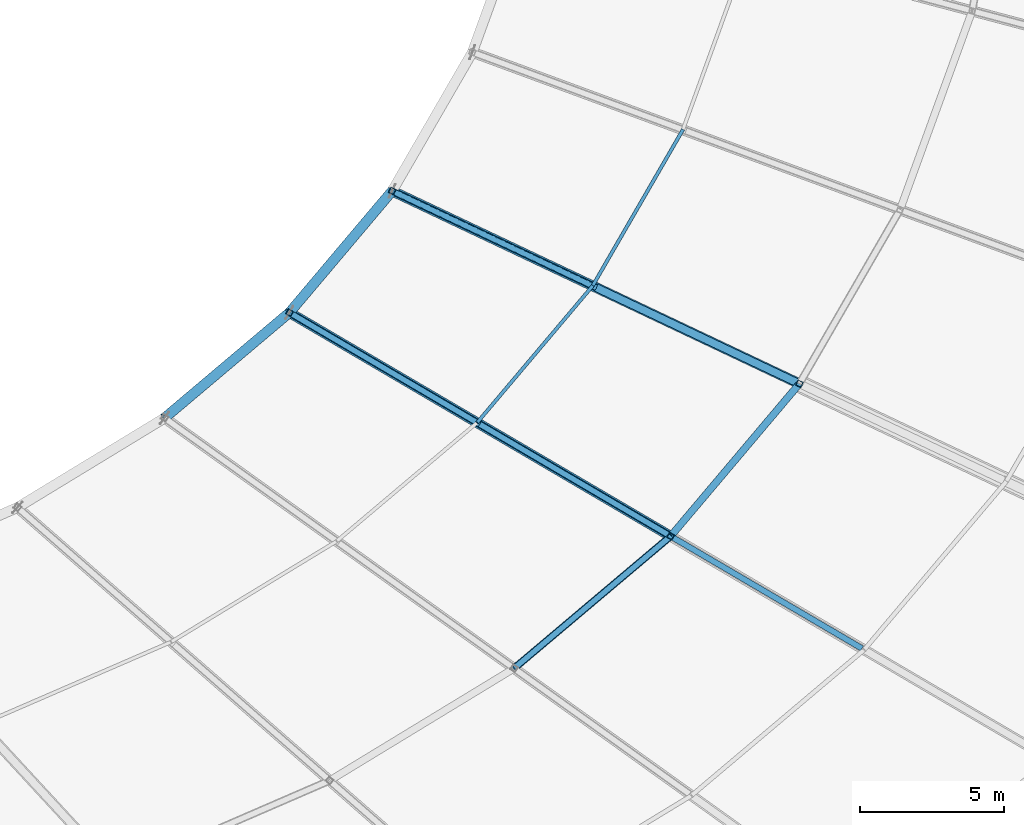
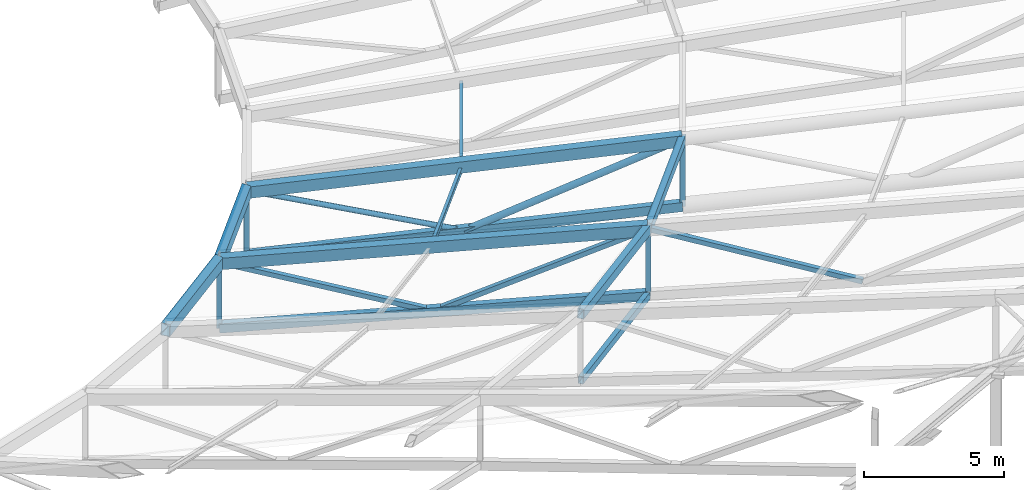
# One storey, part 65 of 143: 12 members, 8 beams.
"""IFC4 building model written with IfcOpenShell, lengths in metres."""

from ifc_helpers import new_model, si_unit, direction, frame, origin, origin_2d, place, context, subcontext, project, spatial, hollow_rectangle, hollow_circle, i_section, extrude, material, material_profile, profile_set, type_object, element, save


model = new_model("IFC4")

# Units and contexts
model_context = context("Model", 3, precision=1e-05, world=origin(), true_north=direction((0.0, 1.0)))
body_context = subcontext(model_context, "Body", "Model", "MODEL_VIEW")
ifc_project = project(units=[si_unit("LENGTHUNIT", "METRE"), si_unit("AREAUNIT", "SQUARE_METRE"), si_unit("VOLUMEUNIT", "CUBIC_METRE"), si_unit("PLANEANGLEUNIT", "RADIAN"), si_unit("MASSUNIT", "GRAM", prefix="KILO")], contexts=[model_context])

# Site, building, storey
site_placement = place(None, origin())
site = spatial("IfcSite", under=ifc_project, at=site_placement, CompositionType="ELEMENT")
building_placement = place(site_placement, origin())
building = spatial("IfcBuilding", under=site, at=building_placement, Name="Mphavela Belvedere Stadium", CompositionType="ELEMENT")
storey_placement = place(building_placement, frame((0.0, 0.0, 28.800048828125)))
storey = spatial("IfcBuildingStorey", under=building, at=storey_placement, Name="RF", CompositionType="ELEMENT", Elevation=28.800048828125)

# Beams
ifc_material_1 = material(Name="Steel S355", Category="steel")
ifc_material_profile_1 = material_profile(ifc_material_1, hollow_rectangle(XDim=0.35009765625, YDim=0.5, WallThickness=0.02001953125, at=origin_2d()), Name="RHS 500x350x20")
ifc_profile_set_1 = profile_set([ifc_material_profile_1], Name="Steel S355")
beam_type_1 = type_object("IfcBeamType", Name="BM-RING-IN", PredefinedType="BEAM", material=ifc_profile_set_1)
beam_1_placement = place(storey_placement, frame((162.7919921875, 52.75732421875, 4.39697265625), z_axis=(0.757688912206, 0.639326677835, -0.131030192428), x_axis=(-0.644886646636, 0.764278230091, 0.0)))
element("IfcBeam", 1, at=beam_1_placement, inside=storey, type_object=beam_type_1, Name="Inner tension ring beam RB-IN-43", PredefinedType="BEAM", context=body_context, shape_type="SweptSolid", body=[
    extrude(hollow_rectangle(XDim=0.35009765625, YDim=0.5, WallThickness=0.02001953125, at=origin_2d()), origin(), (0.0, 0.0, 1.0), 5.723876953125),
])
beam_2_placement = place(storey_placement, frame((167.12890625, 56.416748046875, 3.64697265625), z_axis=(0.640050552269, 0.758013434001, -0.125502686881), x_axis=(-0.764054600032, 0.645151585419, 0.0)))
element("IfcBeam", 2, at=beam_2_placement, inside=storey, type_object=beam_type_1, Name="Inner tension ring beam RB-IN-44", PredefinedType="BEAM", context=body_context, shape_type="SweptSolid", body=[
    extrude(hollow_rectangle(XDim=0.35009765625, YDim=0.5, WallThickness=0.02001953125, at=origin_2d()), origin(), (0.0, 0.0, 1.0), 5.5693359375),
])
ifc_material_2 = material(Name="Steel S355", Category="steel")
ifc_material_profile_2 = material_profile(ifc_material_2, hollow_rectangle(XDim=0.25, YDim=0.39990234375, WallThickness=0.01611328125, at=origin_2d()), Name="RHS 400x250x16")
ifc_profile_set_2 = profile_set([ifc_material_profile_2], Name="Steel S355")
beam_type_2 = type_object("IfcBeamType", Name="BM-RING-MID", PredefinedType="BEAM", material=ifc_profile_set_2)
beam_3_placement = place(storey_placement, frame((174.9267578125, 44.062744140625, 6.124267578125), z_axis=(0.757645625472, 0.63937086052, -0.131064903468), x_axis=(-0.644934198489, 0.764238104009, 0.0)))
element("IfcBeam", 3, at=beam_3_placement, inside=storey, type_object=beam_type_2, Name="Intermediate roof ring beam RB-MID-43", PredefinedType="BEAM", context=body_context, shape_type="SweptSolid", body=[
    extrude(hollow_rectangle(XDim=0.25, YDim=0.39990234375, WallThickness=0.01611328125, at=origin_2d()), origin(), (0.0, 0.0, 1.0), 7.17724609375),
])
beam_4_placement = place(storey_placement, frame((180.364501953125, 48.651611328125, 5.18359375), z_axis=(0.640074393975, 0.757992954841, -0.125504783132), x_axis=(-0.764034161883, 0.645175789592, 0.0)))
element("IfcBeam", 4, at=beam_4_placement, inside=storey, type_object=beam_type_2, Name="Intermediate roof ring beam RB-MID-44", PredefinedType="BEAM", context=body_context, shape_type="SweptSolid", body=[
    extrude(hollow_rectangle(XDim=0.25, YDim=0.39990234375, WallThickness=0.01611328125, at=origin_2d()), origin(), (0.0, 0.0, 1.0), 6.9833984375),
])
ifc_material_3 = material(Name="Steel S355", Category="steel")
ifc_material_profile_3 = material_profile(ifc_material_3, hollow_rectangle(XDim=0.25, YDim=0.39990234375, WallThickness=0.01611328125, at=origin_2d()), Name="RHS 400x250x16")
ifc_profile_set_3 = profile_set([ifc_material_profile_3], Name="Steel S355")
beam_type_3 = type_object("IfcBeamType", Name="BM-TRUSS-BC2", PredefinedType="BEAM", material=ifc_profile_set_3)
beam_5_placement = place(storey_placement, frame((180.364501953125, 48.651611328125, 2.28369140625), z_axis=(-0.858497397532, 0.503668275615, -0.096439030324), x_axis=(-0.506026920854, -0.862517684092, 0.0)))
element("IfcBeam", 5, at=beam_5_placement, inside=storey, type_object=beam_type_3, Name="Radial roof truss RT-44 bottom chord 3", PredefinedType="BEAM", context=body_context, shape_type="SweptSolid", body=[
    extrude(hollow_rectangle(XDim=0.25, YDim=0.39990234375, WallThickness=0.01611328125, at=origin_2d()), origin(), (0.0, 0.0, 1.0), 15.417236328125),
])
beam_6_placement = place(storey_placement, frame((184.83447265625, 53.945068359375, 1.4072265625), z_axis=(-0.900712517801, 0.426338191468, -0.083382892568), x_axis=(-0.427828067203, -0.903860135703, 0.0)))
element("IfcBeam", 6, at=beam_6_placement, inside=storey, type_object=beam_type_3, Name="Radial roof truss RT-45 bottom chord 3", PredefinedType="BEAM", context=body_context, shape_type="SweptSolid", body=[
    extrude(hollow_rectangle(XDim=0.25, YDim=0.39990234375, WallThickness=0.01611328125, at=origin_2d()), origin(), (0.0, 0.0, 1.0), 15.69970703125),
])
ifc_material_4 = material(Name="Steel S355", Category="steel")
ifc_material_profile_4 = material_profile(ifc_material_4, hollow_rectangle(XDim=0.35009765625, YDim=0.5, WallThickness=0.02001953125, at=origin_2d()), Name="RHS 500x350x20")
ifc_profile_set_4 = profile_set([ifc_material_profile_4], Name="Steel S355")
beam_type_4 = type_object("IfcBeamType", Name="BM-TRUSS-TC2", PredefinedType="BEAM", material=ifc_profile_set_4)
beam_7_placement = place(storey_placement, frame((180.364501953125, 48.651611328125, 5.18359375), z_axis=(-0.85822558787, 0.503508808732, -0.099637943852), x_axis=(-0.506026920854, -0.862517684092, 0.0)))
element("IfcBeam", 7, at=beam_7_placement, inside=storey, type_object=beam_type_4, Name="Radial roof truss RT-44 top chord 3", PredefinedType="BEAM", context=body_context, shape_type="SweptSolid", body=[
    extrude(hollow_rectangle(XDim=0.35009765625, YDim=0.5, WallThickness=0.02001953125, at=origin_2d()), origin(), (0.0, 0.0, 1.0), 15.422119140625),
])
beam_8_placement = place(storey_placement, frame((184.83447265625, 53.945068359375, 4.30712890625), z_axis=(-0.900468616366, 0.426222744537, -0.086547345303), x_axis=(-0.427828067203, -0.903860135703, 0.0)))
element("IfcBeam", 8, at=beam_8_placement, inside=storey, type_object=beam_type_4, Name="Radial roof truss RT-45 top chord 3", PredefinedType="BEAM", context=body_context, shape_type="SweptSolid", body=[
    extrude(hollow_rectangle(XDim=0.35009765625, YDim=0.5, WallThickness=0.02001953125, at=origin_2d()), origin(), (0.0, 0.0, 1.0), 15.703857421875),
])

# Members
ifc_material_5 = material(Name="Steel S355", Category="steel")
ifc_material_profile_5 = material_profile(ifc_material_5, hollow_circle(Radius=0.109619140625, WallThickness=0.012451171875, at=origin_2d()), Name="CHS 219.1x12.5")
ifc_profile_set_5 = profile_set([ifc_material_profile_5], Name="Steel S355")
member_type_1 = type_object("IfcMemberType", Name="MEM-DIAG-219", PredefinedType="BRACE", material=ifc_profile_set_5)
member_1_placement = place(storey_placement, frame((177.763916015625, 57.291748046875, 0.75244140625), z_axis=(-0.870229035696, 0.411916423388, 0.270233760981), x_axis=(-0.4278341017, -0.903857279344, 0.0)))
element("IfcMember", 9, at=member_1_placement, inside=storey, type_object=member_type_1, Name="Radial roof truss RT-45 web diagonal D6", PredefinedType="BRACE", context=body_context, shape_type="SweptSolid", body=[
    extrude(hollow_circle(Radius=0.109619140625, WallThickness=0.012451171875, at=origin_2d()), origin(), (0.0, 0.0, 1.0), 8.124755859375),
])
ifc_material_6 = material(Name="Steel S355", Category="steel")
ifc_material_profile_6 = material_profile(ifc_material_6, hollow_circle(Radius=0.136474609375, WallThickness=0.012451171875, at=origin_2d()), Name="CHS 273x12.5")
ifc_profile_set_6 = profile_set([ifc_material_profile_6], Name="Steel S355")
member_type_2 = type_object("IfcMemberType", Name="MEM-DIAG-273", PredefinedType="BRACE", material=ifc_profile_set_6)
member_2_placement = place(storey_placement, frame((184.83447265625, 53.945068359375, 4.30712890625), z_axis=(-0.822887727094, 0.38949431867, -0.413702748748), x_axis=(-0.427822032856, -0.903862991942, 0.0)))
element("IfcMember", 10, at=member_2_placement, inside=storey, type_object=member_type_2, Name="Radial roof truss RT-45 web diagonal D5", PredefinedType="BRACE", context=body_context, shape_type="SweptSolid", body=[
    extrude(hollow_circle(Radius=0.136474609375, WallThickness=0.012451171875, at=origin_2d()), origin(), (0.0, 0.0, 1.0), 8.59228515625),
])
ifc_material_7 = material(Name="Steel S355", Category="steel")
ifc_material_profile_7 = material_profile(ifc_material_7, hollow_rectangle(XDim=0.199951171875, YDim=0.199951171875, WallThickness=0.010009765625, at=origin_2d()), Name="SHS 200x200x10")
ifc_profile_set_7 = profile_set([ifc_material_profile_7], Name="Steel S355")
member_type_3 = type_object("IfcMemberType", Name="MEM-POST-SHS200", PredefinedType="POST", material=ifc_profile_set_7)
member_3_placement = place(storey_placement, frame((180.364501953125, 48.651611328125, 2.28369140625), z_axis=(0.0, 0.0, 1.0), x_axis=(0.862513669207, -0.506033764121, 0.0)))
element("IfcMember", 11, at=member_3_placement, inside=storey, type_object=member_type_3, Name="Radial roof truss RT-44 post P3", PredefinedType="POST", context=body_context, shape_type="SweptSolid", body=[
    extrude(hollow_rectangle(XDim=0.199951171875, YDim=0.199951171875, WallThickness=0.010009765625, at=origin_2d()), origin(), (0.0, 0.0, 1.0), 2.89990234375),
])
member_4_placement = place(storey_placement, frame((167.12890625, 56.416748046875, 0.796875), z_axis=(0.0, 0.0, 1.0), x_axis=(0.862513669207, -0.506033764121, 0.0)))
element("IfcMember", 12, at=member_4_placement, inside=storey, type_object=member_type_3, Name="Radial roof truss RT-44 post P4", PredefinedType="POST", context=body_context, shape_type="SweptSolid", body=[
    extrude(hollow_rectangle(XDim=0.199951171875, YDim=0.199951171875, WallThickness=0.010009765625, at=origin_2d()), origin(), (0.0, 0.0, 1.0), 2.85009765625),
])
member_5_placement = place(storey_placement, frame((186.982421875, 44.768798828125, 2.927001953125), z_axis=(-0.827464318161, 0.485483178369, 0.282150466402), x_axis=(-0.506043648077, -0.862507870248, 0.0)))
element("IfcMember", 13, at=member_5_placement, inside=storey, type_object=member_type_3, Name="Radial roof truss RT-44 web diagonal D4", PredefinedType="POST", context=body_context, shape_type="SweptSolid", body=[
    extrude(hollow_rectangle(XDim=0.199951171875, YDim=0.199951171875, WallThickness=0.010009765625, at=origin_2d()), origin(), (0.0, 0.0, 1.0), 7.997802734375),
])
member_6_placement = place(storey_placement, frame((180.364501953125, 48.651611328125, 5.18359375), z_axis=(-0.77914565138, 0.4571052973, -0.428936826486), x_axis=(-0.506019976989, -0.862521757922, 0.0)))
element("IfcMember", 14, at=member_6_placement, inside=storey, type_object=member_type_3, Name="Radial roof truss RT-44 web diagonal D5", PredefinedType="POST", context=body_context, shape_type="SweptSolid", body=[
    extrude(hollow_rectangle(XDim=0.199951171875, YDim=0.199951171875, WallThickness=0.010009765625, at=origin_2d()), origin(), (0.0, 0.0, 1.0), 8.493896484375),
])
member_7_placement = place(storey_placement, frame((173.74658203125, 52.5341796875, 1.540283203125), z_axis=(-0.831730583335, 0.487973565512, 0.264775444684), x_axis=(-0.506033864876, -0.862513610095, 0.0)))
element("IfcMember", 15, at=member_7_placement, inside=storey, type_object=member_type_3, Name="Radial roof truss RT-44 web diagonal D6", PredefinedType="POST", context=body_context, shape_type="SweptSolid", body=[
    extrude(hollow_rectangle(XDim=0.199951171875, YDim=0.199951171875, WallThickness=0.010009765625, at=origin_2d()), origin(), (0.0, 0.0, 1.0), 7.95654296875),
])
member_8_placement = place(storey_placement, frame((184.83447265625, 53.945068359375, 1.4072265625), z_axis=(0.0, 0.0, 1.0), x_axis=(0.903858661687, -0.4278311813, 0.0)))
element("IfcMember", 16, at=member_8_placement, inside=storey, type_object=member_type_3, Name="Radial roof truss RT-45 post P3", PredefinedType="POST", context=body_context, shape_type="SweptSolid", body=[
    extrude(hollow_rectangle(XDim=0.199951171875, YDim=0.199951171875, WallThickness=0.010009765625, at=origin_2d()), origin(), (0.0, 0.0, 1.0), 2.89990234375),
])
member_9_placement = place(storey_placement, frame((170.693603515625, 60.638427734375, 0.09814453125), z_axis=(0.0, 0.0, 1.0), x_axis=(0.903858661687, -0.4278311813, 0.0)))
element("IfcMember", 17, at=member_9_placement, inside=storey, type_object=member_type_3, Name="Radial roof truss RT-45 post P4", PredefinedType="POST", context=body_context, shape_type="SweptSolid", body=[
    extrude(hollow_rectangle(XDim=0.199951171875, YDim=0.199951171875, WallThickness=0.010009765625, at=origin_2d()), origin(), (0.0, 0.0, 1.0), 2.849853515625),
])
ifc_material_8 = material(Name="Steel S355", Category="steel")
ifc_material_profile_8 = material_profile(ifc_material_8, i_section(OverallWidth=0.1201171875, OverallDepth=0.239990234375, WebThickness=0.006103515625, FlangeThickness=0.009765625, at=origin_2d()), Name="IPE 240")
ifc_profile_set_8 = profile_set([ifc_material_profile_8], Name="Steel S355")
member_type_4 = type_object("IfcMemberType", Name="MEM-PURLIN-IPE240", PredefinedType="PURLIN", material=ifc_profile_set_8)
member_10_placement = place(storey_placement, frame((173.64501953125, 52.593994140625, 4.243408203125), z_axis=(0.640056738114, 0.758007045326, -0.125509725646), x_axis=(-0.764048846211, 0.645158399623, 0.0)))
element("IfcMember", 18, at=member_10_placement, inside=storey, type_object=member_type_4, Name="Saddle canopy steel purlin 44-1", PredefinedType="PURLIN", context=body_context, shape_type="SweptSolid", body=[
    extrude(i_section(OverallWidth=0.1201171875, OverallDepth=0.239990234375, WebThickness=0.006103515625, FlangeThickness=0.009765625, at=origin_2d()), origin(), (0.0, 0.0, 1.0), 6.265380859375),
])
member_11_placement = place(storey_placement, frame((177.6552734375, 57.34326171875, 3.45703125), z_axis=(0.497680434654, 0.860704890066, -0.107244007655), x_axis=(-0.865697601254, 0.500567341308, 0.0)))
element("IfcMember", 19, at=member_11_placement, inside=storey, type_object=member_type_4, Name="Saddle canopy steel purlin 45-1", PredefinedType="PURLIN", context=body_context, shape_type="SweptSolid", body=[
    extrude(i_section(OverallWidth=0.1201171875, OverallDepth=0.239990234375, WebThickness=0.006103515625, FlangeThickness=0.009765625, at=origin_2d()), origin(), (0.0, 0.0, 1.0), 6.296875),
])
ifc_material_9 = material(Name="Steel S355", Category="steel")
ifc_material_profile_9 = material_profile(ifc_material_9, hollow_rectangle(XDim=0.199951171875, YDim=0.300048828125, WallThickness=0.011962890625, at=origin_2d()), Name="RHS 300x200x12")
ifc_profile_set_9 = profile_set([ifc_material_profile_9], Name="Steel S355")
member_type_5 = type_object("IfcMemberType", Name="MEM-SEC-CHORD", PredefinedType="CHORD", material=ifc_profile_set_9)
member_12_placement = place(storey_placement, frame((174.9267578125, 44.062744140625, 3.22412109375), z_axis=(0.757649002903, 0.639373710706, -0.131031471251), x_axis=(-0.644934198489, 0.764238104009, 0.0)))
element("IfcMember", 20, at=member_12_placement, inside=storey, type_object=member_type_5, Name="Secondary bottom roof tie chord 43", PredefinedType="CHORD", context=body_context, shape_type="SweptSolid", body=[
    extrude(hollow_rectangle(XDim=0.199951171875, YDim=0.300048828125, WallThickness=0.011962890625, at=origin_2d()), origin(), (0.0, 0.0, 1.0), 7.17724609375),
])

save(model, "model.ifc")
